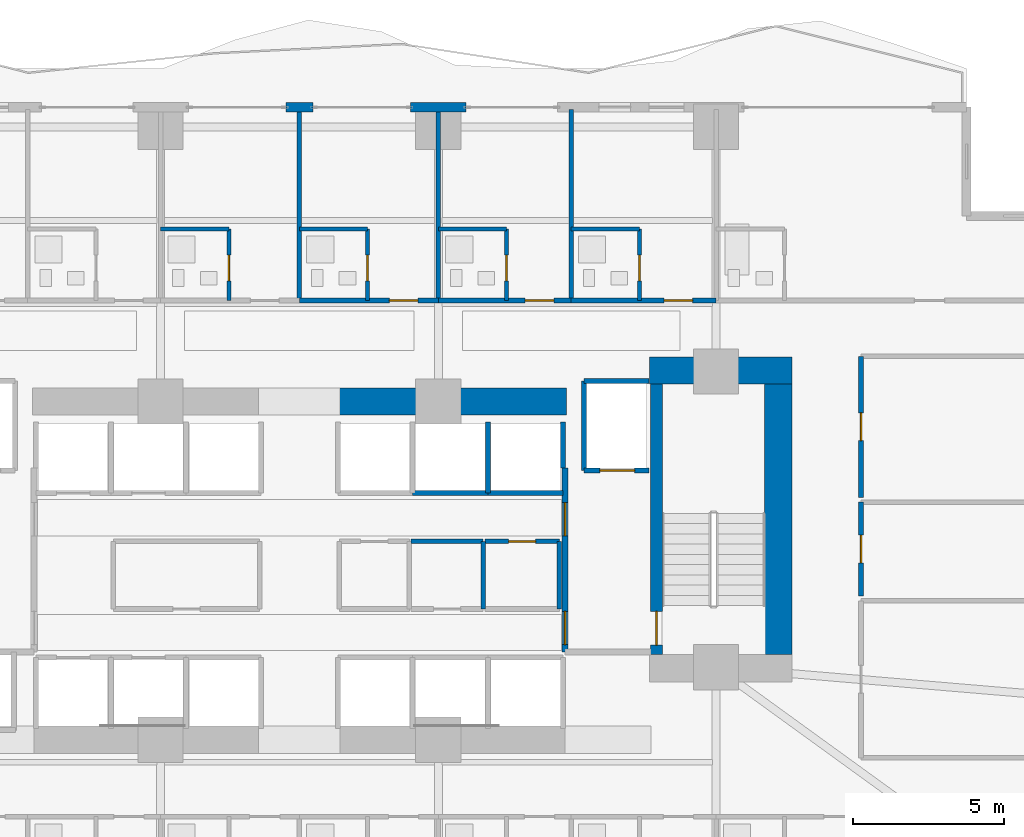
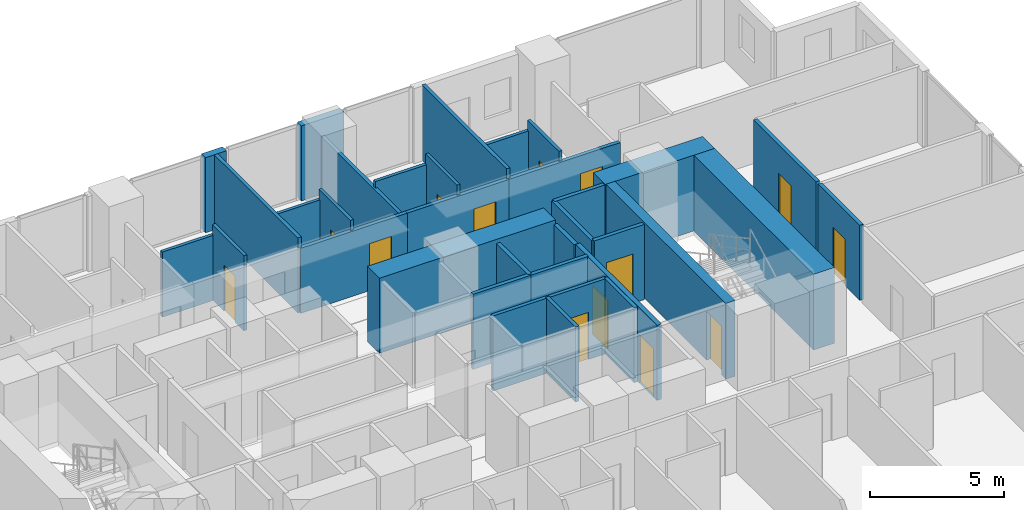
# One storey, part 23 of 29: 34 walls, 14 doors, 14 openings.
"""IFC4 building model written with IfcOpenShell, lengths in metres."""

from ifc_helpers import new_model, si_unit, direction, frame, frame_2d, origin, place, context, subcontext, project, spatial, rectangle, extrude, material, layer, layer_set, type_object, element, fill, save


model = new_model("IFC4")

# Units and contexts
model_context = context("Model", 3, precision=1e-05, world=origin(), true_north=direction((0.0, 1.0)))
body_context = subcontext(model_context, "Body", "Model", "MODEL_VIEW")
ifc_project = project(units=[si_unit("LENGTHUNIT", "METRE"), si_unit("AREAUNIT", "SQUARE_METRE"), si_unit("VOLUMEUNIT", "CUBIC_METRE"), si_unit("PLANEANGLEUNIT", "RADIAN"), si_unit("MASSUNIT", "GRAM", prefix="KILO")], contexts=[model_context])

# Site, building, storey
site_placement = place(None, origin())
site = spatial("IfcSite", under=ifc_project, at=site_placement, CompositionType="ELEMENT")
building_placement = place(site_placement, origin())
building = spatial("IfcBuilding", under=site, at=building_placement, Name="Zuhayl Quay Hotel", CompositionType="ELEMENT")
storey_placement = place(building_placement, frame((0.0, 0.0, 67.75)))
storey = spatial("IfcBuildingStorey", under=building, at=storey_placement, Name="L16", CompositionType="ELEMENT", Elevation=67.75)

# Walls
ifc_material_1 = material(Name="Concrete C70/85", Category="concrete")
ifc_layer_1 = layer(ifc_material_1, 0.89990234375, Name="Concrete C70/85", Category="concrete")
ifc_layer_set_1 = layer_set([ifc_layer_1], Name="Concrete C70/85")
wall_type_1 = type_object("IfcWallType", Name="WL_CORE_900", PredefinedType="SHEAR", material=ifc_layer_set_1)
wall_1_placement = place(storey_placement, frame((11.60009765625, 14.3798828125, 0.0), z_axis=(0.0, 0.0, 1.0), x_axis=(1.0, 0.0, 0.0)))
element("IfcWall", 1, at=wall_1_placement, inside=storey, type_object=wall_type_1, Name="L16 Core Shear Wall CW_NE", PredefinedType="SHEAR", context=body_context, shape_type="SweptSolid", body=[
    extrude(rectangle(XDim=4.7099609375, YDim=0.89990234375, at=frame_2d((2.35498046875, 0.0))), origin(), (0.0, 0.0, 1.0), 3.4599609375),
])
wall_2_placement = place(storey_placement, frame((15.860107421875, 4.969970703125, 0.0), z_axis=(0.0, 0.0, 1.0), x_axis=(0.0, 1.0, 0.0)))
element("IfcWall", 2, at=wall_2_placement, inside=storey, type_object=wall_type_1, Name="L16 Core Shear Wall CW_E", PredefinedType="SHEAR", context=body_context, shape_type="SweptSolid", body=[
    extrude(rectangle(XDim=8.9599609375, YDim=0.89990234375, at=frame_2d((4.47998046875, 0.0))), origin(), (0.0, 0.0, 1.0), 3.4599609375),
])
wall_3_placement = place(storey_placement, frame((1.25, 13.35009765625, 0.0), z_axis=(0.0, 0.0, 1.0), x_axis=(1.0, 0.0, 0.0)))
element("IfcWall", 3, at=wall_3_placement, inside=storey, type_object=wall_type_1, Name="L16 Core Shear Wall CW_NC_E", PredefinedType="SHEAR", context=body_context, shape_type="SweptSolid", body=[
    extrude(rectangle(XDim=7.60009765625, YDim=0.89990234375, at=frame_2d((3.800048828125, 0.0))), origin(), (0.0, 0.0, 1.0), 3.429931640625),
])
ifc_material_2 = material(Name="Precast concrete C45/55", Category="concrete")
ifc_layer_2 = layer(ifc_material_2, 0.300048828125, Name="Precast concrete C45/55", Category="concrete")
ifc_layer_set_2 = layer_set([ifc_layer_2], Name="Precast concrete C45/55")
wall_type_2 = type_object("IfcWallType", Name="WL_EXT_300", PredefinedType="STANDARD", material=ifc_layer_set_2)
wall_4_placement = place(storey_placement, frame((-0.449951171875, 23.10009765625, 0.0), z_axis=(0.0, 0.0, 1.0), x_axis=(1.0, 0.0, 0.0)))
element("IfcWall", 4, at=wall_4_placement, inside=storey, type_object=wall_type_2, Name="L16 Exterior Precast Wall ENV_L16_N_EW4", PredefinedType="STANDARD", context=body_context, shape_type="SweptSolid", body=[
    extrude(rectangle(XDim=0.89990234375, YDim=0.300048828125, at=frame_2d((0.449951171875, 0.0))), origin(), (0.0, 0.0, 1.0), 3.429931640625),
])
wall_5_placement = place(storey_placement, frame((3.679931640625, 23.10009765625, 0.0), z_axis=(0.0, 0.0, 1.0), x_axis=(1.0, 0.0, 0.0)))
element("IfcWall", 5, at=wall_5_placement, inside=storey, type_object=wall_type_2, Name="L16 Exterior Precast Wall ENV_L16_N_EW5", PredefinedType="STANDARD", context=body_context, shape_type="SweptSolid", body=[
    extrude(rectangle(XDim=1.840087890625, YDim=0.300048828125, at=frame_2d((0.919921875, 0.0))), origin(), (0.0, 0.0, 1.0), 3.429931640625),
])

# Wall, opening, door
ifc_material_3 = material(Name="Acoustic Gypsum Partition STC-58")
ifc_layer_3 = layer(ifc_material_3, 0.14990234375, Name="Acoustic Gypsum Partition STC-58")
ifc_layer_set_3 = layer_set([ifc_layer_3], Name="Acoustic Gypsum Partition STC-58")
wall_type_3 = type_object("IfcWallType", Name="WL_PART_150", PredefinedType="PARTITIONING", material=ifc_layer_set_3)
wall_6_placement = place(storey_placement, frame((6.139892578125, 8.719970703125, 0.0), z_axis=(0.0, 0.0, 1.0), x_axis=(1.0, 0.0, 0.0)))
wall_6 = element("IfcWall", 6, at=wall_6_placement, inside=storey, type_object=wall_type_3, Name="L16 Partition IW_L16_CORE_E3_N", PredefinedType="PARTITIONING", context=body_context, shape_type="SweptSolid", body=[
    extrude(rectangle(XDim=2.47021484375, YDim=0.14990234375, at=frame_2d((1.235107421875, 0.0))), origin(), (0.0, 0.0, 1.0), 3.429931640625),
])
opening_1_placement = place(wall_6_placement, frame((0.784912109375, 0.0, 0.0)))
opening_1 = element("IfcOpeningElement", 7, at=opening_1_placement, cuts=wall_6, Name="Opening D06", PredefinedType="OPENING", context=body_context, shape_type="SweptSolid", body=[
    extrude(rectangle(XDim=0.89990234375, YDim=2.14990234375, at=frame_2d((0.449951171875, 1.074951171875))), frame((0.0, 0.0849609375, 0.0), z_axis=(0.0, -1.0, 0.0), x_axis=(1.0, 0.0, 0.0)), (0.0, 0.0, 1.0), 0.169921875),
])
ifc_material_4 = material(Name="Steel ASTM A992 Grade 50", Category="steel")
door_type_1 = type_object("IfcDoorType", Name="DR_INT_900", OperationType="NOTDEFINED", PredefinedType="DOOR", material=ifc_material_4)
door_1_placement = place(opening_1_placement, origin())
door_1 = element("IfcDoor", 8, at=door_1_placement, inside=storey, type_object=door_type_1, Name="L16 Janitor and Cleaners Store Door", OperationType="SINGLE_SWING_LEFT", OverallHeight=2.14990234375, OverallWidth=0.89990234375, PredefinedType="DOOR", context=body_context, shape_type="SweptSolid", body=[
    extrude(rectangle(XDim=0.89990234375, YDim=2.14990234375, at=frame_2d((0.449951171875, 1.074951171875))), frame((0.0, 0.02490234375, 0.0), z_axis=(0.0, -1.0, 0.0), x_axis=(1.0, 0.0, 0.0)), (0.0, 0.0, 1.0), 0.050048828125),
])
fill(opening_1, door_1)

# Walls
wall_7_placement = place(storey_placement, frame((3.699951171875, 8.719970703125, 0.0), z_axis=(0.0, 0.0, 1.0), x_axis=(1.0, 0.0, 0.0)))
element("IfcWall", 9, at=wall_7_placement, inside=storey, type_object=wall_type_3, Name="L16 Partition IW_L16_CORE_E2_N", PredefinedType="PARTITIONING", context=body_context, shape_type="SweptSolid", body=[
    extrude(rectangle(XDim=2.380126953125, YDim=0.14990234375, at=frame_2d((1.18994140625, 0.0))), origin(), (0.0, 0.0, 1.0), 3.429931640625),
])
for number, where, z_axis, x_axis, name in (
    (10, (6.080078125, 6.47998046875, 0.0), (0.0, 0.0, 1.0), (0.0, 1.0, 0.0), "L16 Partition IW_L16_CORE_E2_E"),
    (11, (8.610107421875, 6.47998046875, 0.0), (0.0, 0.0, 1.0), (0.0, 1.0, 0.0), "L16 Partition IW_L16_CORE_E3_E"),
):
    element("IfcWall", number, at=place(storey_placement, frame(where, z_axis=z_axis, x_axis=x_axis)), inside=storey, type_object=wall_type_3, Name=name, PredefinedType="PARTITIONING", context=body_context, shape_type="SweptSolid", body=[
        extrude(rectangle(XDim=2.239990234375, YDim=0.14990234375, at=frame_2d((1.1201171875, 0.0))), origin(), (0.0, 0.0, 1.0), 3.429931640625),
    ])
wall_8_placement = place(storey_placement, frame((0.0, 16.699951171875, 0.0), z_axis=(0.0, 0.0, 1.0), x_axis=(0.0, 1.0, 0.0)))
element("IfcWall", 12, at=wall_8_placement, inside=storey, type_object=wall_type_3, Name="L16 Partition IW_L16_NU04_E", PredefinedType="PARTITIONING", context=body_context, shape_type="SweptSolid", body=[
    extrude(rectangle(XDim=6.320068359375, YDim=0.14990234375, at=frame_2d((3.16015625, 0.0))), origin(), (0.0, 0.0, 1.0), 3.429931640625),
])
wall_9_placement = place(storey_placement, frame((4.60009765625, 16.699951171875, 0.0), z_axis=(0.0, 0.0, 1.0), x_axis=(0.0, 1.0, 0.0)))
element("IfcWall", 13, at=wall_9_placement, inside=storey, type_object=wall_type_3, Name="L16 Partition IW_L16_NU05_E", PredefinedType="PARTITIONING", context=body_context, shape_type="SweptSolid", body=[
    extrude(rectangle(XDim=6.320068359375, YDim=0.14990234375, at=frame_2d((3.16015625, 0.0))), origin(), (0.0, 0.0, 1.0), 2.66796875),
])
wall_10_placement = place(storey_placement, frame((9.0, 16.699951171875, 0.0), z_axis=(0.0, 0.0, 1.0), x_axis=(0.0, 1.0, 0.0)))
element("IfcWall", 14, at=wall_10_placement, inside=storey, type_object=wall_type_3, Name="L16 Partition IW_L16_NU06_E", PredefinedType="PARTITIONING", context=body_context, shape_type="SweptSolid", body=[
    extrude(rectangle(XDim=6.320068359375, YDim=0.14990234375, at=frame_2d((3.16015625, 0.0))), origin(), (0.0, 0.0, 1.0), 3.429931640625),
])

# Wall, opening, door
ifc_layer_4 = layer(ifc_material_3, 0.159912109375, Name="Acoustic Gypsum Partition STC-58")
ifc_layer_set_4 = layer_set([ifc_layer_4], Name="Acoustic Gypsum Partition STC-58")
wall_type_4 = type_object("IfcWallType", Name="WL_PART_CORR_160", PredefinedType="PARTITIONING", material=ifc_layer_set_4)
wall_11_placement = place(storey_placement, frame((0.0, 16.699951171875, 0.0), z_axis=(0.0, 0.0, 1.0), x_axis=(1.0, 0.0, 0.0)))
wall_11 = element("IfcWall", 15, at=wall_11_placement, inside=storey, type_object=wall_type_4, Name="L16 Partition IW_L16_NU05_COR", PredefinedType="PARTITIONING", context=body_context, shape_type="SweptSolid", body=[
    extrude(rectangle(XDim=4.60009765625, YDim=0.159912109375, at=frame_2d((2.300048828125, 0.0))), origin(), (0.0, 0.0, 1.0), 2.972900390625),
])
opening_2_placement = place(wall_11_placement, frame((2.97509765625, 0.0, 0.0)))
opening_2 = element("IfcOpeningElement", 16, at=opening_2_placement, cuts=wall_11, Name="Opening D03", PredefinedType="OPENING", context=body_context, shape_type="SweptSolid", body=[
    extrude(rectangle(XDim=0.949951171875, YDim=2.14990234375, at=frame_2d((0.47509765625, 1.074951171875))), frame((0.0, 0.08984375, 0.0), z_axis=(0.0, -1.0, 0.0), x_axis=(1.0, 0.0, 0.0)), (0.0, 0.0, 1.0), 0.179931640625),
])
ifc_material_5 = material(Name="Solid Walnut Acoustic Fire Door")
door_type_2 = type_object("IfcDoorType", Name="DR_SUITE_950", OperationType="NOTDEFINED", PredefinedType="DOOR", material=ifc_material_5)
door_2_placement = place(opening_2_placement, origin())
door_2 = element("IfcDoor", 17, at=door_2_placement, inside=storey, type_object=door_type_2, Name="L16 Deluxe Gulf Guest Room L16-05 Entrance Door", OperationType="SINGLE_SWING_LEFT", OverallHeight=2.14990234375, OverallWidth=0.949951171875, PredefinedType="DOOR", context=body_context, shape_type="SweptSolid", body=[
    extrude(rectangle(XDim=0.949951171875, YDim=2.14990234375, at=frame_2d((0.47509765625, 1.074951171875))), frame((0.0, 0.02490234375, 0.0), z_axis=(0.0, -1.0, 0.0), x_axis=(1.0, 0.0, 0.0)), (0.0, 0.0, 1.0), 0.050048828125),
])
fill(opening_2, door_2)

wall_12_placement = place(storey_placement, frame((4.60009765625, 16.699951171875, 0.0), z_axis=(0.0, 0.0, 1.0), x_axis=(1.0, 0.0, 0.0)))
wall_12 = element("IfcWall", 18, at=wall_12_placement, inside=storey, type_object=wall_type_4, Name="L16 Partition IW_L16_NU06_COR", PredefinedType="PARTITIONING", context=body_context, shape_type="SweptSolid", body=[
    extrude(rectangle(XDim=4.39990234375, YDim=0.159912109375, at=frame_2d((2.199951171875, 0.0))), origin(), (0.0, 0.0, 1.0), 2.972900390625),
])
opening_3_placement = place(wall_12_placement, frame((2.875, 0.0, 0.0)))
opening_3 = element("IfcOpeningElement", 19, at=opening_3_placement, cuts=wall_12, Name="Opening D03", PredefinedType="OPENING", context=body_context, shape_type="SweptSolid", body=[
    extrude(rectangle(XDim=0.949951171875, YDim=2.14990234375, at=frame_2d((0.47509765625, 1.074951171875))), frame((0.0, 0.08984375, 0.0), z_axis=(0.0, -1.0, 0.0), x_axis=(1.0, 0.0, 0.0)), (0.0, 0.0, 1.0), 0.179931640625),
])
door_3_placement = place(opening_3_placement, origin())
door_3 = element("IfcDoor", 20, at=door_3_placement, inside=storey, type_object=door_type_2, Name="L16 Deluxe Gulf Guest Room L16-06 Entrance Door", OperationType="SINGLE_SWING_LEFT", OverallHeight=2.14990234375, OverallWidth=0.949951171875, PredefinedType="DOOR", context=body_context, shape_type="SweptSolid", body=[
    extrude(rectangle(XDim=0.949951171875, YDim=2.14990234375, at=frame_2d((0.47509765625, 1.074951171875))), frame((0.0, 0.02490234375, 0.0), z_axis=(0.0, -1.0, 0.0), x_axis=(1.0, 0.0, 0.0)), (0.0, 0.0, 1.0), 0.050048828125),
])
fill(opening_3, door_3)

wall_13_placement = place(storey_placement, frame((9.0, 16.699951171875, 0.0), z_axis=(0.0, 0.0, 1.0), x_axis=(1.0, 0.0, 0.0)))
wall_13 = element("IfcWall", 21, at=wall_13_placement, inside=storey, type_object=wall_type_4, Name="L16 Partition IW_L16_NU07_COR", PredefinedType="PARTITIONING", context=body_context, shape_type="SweptSolid", body=[
    extrude(rectangle(XDim=4.800048828125, YDim=0.159912109375, at=frame_2d((2.39990234375, 0.0))), origin(), (0.0, 0.0, 1.0), 2.972900390625),
])
opening_4_placement = place(wall_13_placement, frame((3.074951171875, 0.0, 0.0)))
opening_4 = element("IfcOpeningElement", 22, at=opening_4_placement, cuts=wall_13, Name="Opening D03", PredefinedType="OPENING", context=body_context, shape_type="SweptSolid", body=[
    extrude(rectangle(XDim=0.949951171875, YDim=2.14990234375, at=frame_2d((0.47509765625, 1.074951171875))), frame((0.0, 0.08984375, 0.0), z_axis=(0.0, -1.0, 0.0), x_axis=(1.0, 0.0, 0.0)), (0.0, 0.0, 1.0), 0.179931640625),
])
door_4_placement = place(opening_4_placement, origin())
door_4 = element("IfcDoor", 23, at=door_4_placement, inside=storey, type_object=door_type_2, Name="L16 Deluxe Gulf Guest Room L16-07 Entrance Door", OperationType="SINGLE_SWING_LEFT", OverallHeight=2.14990234375, OverallWidth=0.949951171875, PredefinedType="DOOR", context=body_context, shape_type="SweptSolid", body=[
    extrude(rectangle(XDim=0.949951171875, YDim=2.14990234375, at=frame_2d((0.47509765625, 1.074951171875))), frame((0.0, 0.02490234375, 0.0), z_axis=(0.0, -1.0, 0.0), x_axis=(1.0, 0.0, 0.0)), (0.0, 0.0, 1.0), 0.050048828125),
])
fill(opening_4, door_4)

wall_14_placement = place(storey_placement, frame((18.60009765625, 6.909912109375, 0.0), z_axis=(0.0, 0.0, 1.0), x_axis=(0.0, 1.0, 0.0)))
wall_14 = element("IfcWall", 24, at=wall_14_placement, inside=storey, type_object=wall_type_4, Name="L16 Partition IW_L16_EFLK_2_W", PredefinedType="PARTITIONING", context=body_context, shape_type="SweptSolid", body=[
    extrude(rectangle(XDim=3.110107421875, YDim=0.159912109375, at=frame_2d((1.55517578125, 0.0))), origin(), (0.0, 0.0, 1.0), 3.429931640625),
])
opening_5_placement = place(wall_14_placement, frame((1.094970703125, 0.0, 0.0)))
opening_5 = element("IfcOpeningElement", 25, at=opening_5_placement, cuts=wall_14, Name="Opening D05", PredefinedType="OPENING", context=body_context, shape_type="SweptSolid", body=[
    extrude(rectangle(XDim=0.919921875, YDim=2.1201171875, at=frame_2d((0.4599609375, 1.06005859375))), frame((0.0, 0.08984375, 0.0), z_axis=(0.0, -1.0, 0.0), x_axis=(1.0, 0.0, 0.0)), (0.0, 0.0, 1.0), 0.179931640625),
])
door_type_3 = type_object("IfcDoorType", Name="DR_INT_950", OperationType="NOTDEFINED", PredefinedType="DOOR", material=ifc_material_5)
door_5_placement = place(opening_5_placement, origin())
door_5 = element("IfcDoor", 26, at=door_5_placement, inside=storey, type_object=door_type_3, Name="L16 Floor Beverage Pantry Door", OperationType="SINGLE_SWING_LEFT", OverallHeight=2.1201171875, OverallWidth=0.919921875, PredefinedType="DOOR", context=body_context, shape_type="SweptSolid", body=[
    extrude(rectangle(XDim=0.919921875, YDim=2.1201171875, at=frame_2d((0.4599609375, 1.06005859375))), frame((0.0, 0.02490234375, 0.0), z_axis=(0.0, -1.0, 0.0), x_axis=(1.0, 0.0, 0.0)), (0.0, 0.0, 1.0), 0.050048828125),
])
fill(opening_5, door_5)

wall_15_placement = place(storey_placement, frame((18.60009765625, 10.179931640625, 0.0), z_axis=(0.0, 0.0, 1.0), x_axis=(0.0, 1.0, 0.0)))
wall_15 = element("IfcWall", 27, at=wall_15_placement, inside=storey, type_object=wall_type_4, Name="L16 Partition IW_L16_EFLK_3_W", PredefinedType="PARTITIONING", context=body_context, shape_type="SweptSolid", body=[
    extrude(rectangle(XDim=4.670166015625, YDim=0.159912109375, at=frame_2d((2.3349609375, 0.0))), origin(), (0.0, 0.0, 1.0), 3.429931640625),
])
opening_6_placement = place(wall_15_placement, frame((1.875, 0.0, 0.0)))
opening_6 = element("IfcOpeningElement", 28, at=opening_6_placement, cuts=wall_15, Name="Opening D05", PredefinedType="OPENING", context=body_context, shape_type="SweptSolid", body=[
    extrude(rectangle(XDim=0.919921875, YDim=2.1201171875, at=frame_2d((0.4599609375, 1.06005859375))), frame((0.0, 0.08984375, 0.0), z_axis=(0.0, -1.0, 0.0), x_axis=(1.0, 0.0, 0.0)), (0.0, 0.0, 1.0), 0.179931640625),
])
door_6_placement = place(opening_6_placement, origin())
door_6 = element("IfcDoor", 29, at=door_6_placement, inside=storey, type_object=door_type_3, Name="L16 East Prow Office L16 Door", OperationType="SINGLE_SWING_RIGHT", OverallHeight=2.1201171875, OverallWidth=0.919921875, PredefinedType="DOOR", context=body_context, shape_type="SweptSolid", body=[
    extrude(rectangle(XDim=0.919921875, YDim=2.1201171875, at=frame_2d((0.4599609375, 1.06005859375))), frame((0.0, 0.02490234375, 0.0), z_axis=(0.0, -1.0, 0.0), x_axis=(1.0, 0.0, 0.0)), (0.0, 0.0, 1.0), 0.050048828125),
])
fill(opening_6, door_6)

ifc_material_6 = material(Name="Moisture-Resistant Sanitarychase Gypsum")
ifc_layer_5 = layer(ifc_material_6, 0.135009765625, Name="Moisture-Resistant Sanitarychase Gypsum")
ifc_layer_set_5 = layer_set([ifc_layer_5], Name="Moisture-Resistant Sanitarychase Gypsum")
wall_type_5 = type_object("IfcWallType", Name="WL_PART_PLUMB_150", PredefinedType="PLUMBINGWALL", material=ifc_layer_set_5)
wall_16_placement = place(storey_placement, frame((-2.340087890625, 16.699951171875, 0.0), z_axis=(0.0, 0.0, 1.0), x_axis=(0.0, 1.0, 0.0)))
wall_16 = element("IfcWall", 30, at=wall_16_placement, inside=storey, type_object=wall_type_5, Name="L16 Partition IW_L16_NU04_BE", PredefinedType="PLUMBINGWALL", context=body_context, shape_type="SweptSolid", body=[
    extrude(rectangle(XDim=2.360107421875, YDim=0.135009765625, at=frame_2d((1.18017578125, 0.0))), origin(), (0.0, 0.0, 1.0), 3.429931640625),
])
opening_7_placement = place(wall_16_placement, frame((0.64990234375, 0.0, 0.0)))
opening_7 = element("IfcOpeningElement", 31, at=opening_7_placement, cuts=wall_16, Name="Opening D04", PredefinedType="OPENING", context=body_context, shape_type="SweptSolid", body=[
    extrude(rectangle(XDim=0.85009765625, YDim=2.10009765625, at=frame_2d((0.425048828125, 1.050048828125))), frame((0.0, 0.077392578125, 0.0), z_axis=(0.0, -1.0, 0.0), x_axis=(1.0, 0.0, 0.0)), (0.0, 0.0, 1.0), 0.155029296875),
])
ifc_material_7 = material(Name="Moisture-Resistant Walnut Veneer")
door_type_4 = type_object("IfcDoorType", Name="DR_BATH_850", OperationType="NOTDEFINED", PredefinedType="DOOR", material=ifc_material_7)
door_7_placement = place(opening_7_placement, origin())
door_7 = element("IfcDoor", 32, at=door_7_placement, inside=storey, type_object=door_type_4, Name="L16 Deluxe Gulf Guest Room L16-04 En-Suite Door", OperationType="SINGLE_SWING_RIGHT", OverallHeight=2.10009765625, OverallWidth=0.85009765625, PredefinedType="DOOR", context=body_context, shape_type="SweptSolid", body=[
    extrude(rectangle(XDim=0.85009765625, YDim=2.10009765625, at=frame_2d((0.425048828125, 1.050048828125))), frame((0.0, 0.02490234375, 0.0), z_axis=(0.0, -1.0, 0.0), x_axis=(1.0, 0.0, 0.0)), (0.0, 0.0, 1.0), 0.050048828125),
])
fill(opening_7, door_7)

wall_17_placement = place(storey_placement, frame((2.260009765625, 16.699951171875, 0.0), z_axis=(0.0, 0.0, 1.0), x_axis=(0.0, 1.0, 0.0)))
wall_17 = element("IfcWall", 33, at=wall_17_placement, inside=storey, type_object=wall_type_5, Name="L16 Partition IW_L16_NU05_BE", PredefinedType="PLUMBINGWALL", context=body_context, shape_type="SweptSolid", body=[
    extrude(rectangle(XDim=2.360107421875, YDim=0.135009765625, at=frame_2d((1.18017578125, 0.0))), origin(), (0.0, 0.0, 1.0), 3.429931640625),
])
opening_8_placement = place(wall_17_placement, frame((0.64990234375, 0.0, 0.0)))
opening_8 = element("IfcOpeningElement", 34, at=opening_8_placement, cuts=wall_17, Name="Opening D04", PredefinedType="OPENING", context=body_context, shape_type="SweptSolid", body=[
    extrude(rectangle(XDim=0.85009765625, YDim=2.10009765625, at=frame_2d((0.425048828125, 1.050048828125))), frame((0.0, 0.077392578125, 0.0), z_axis=(0.0, -1.0, 0.0), x_axis=(1.0, 0.0, 0.0)), (0.0, 0.0, 1.0), 0.155029296875),
])
door_8_placement = place(opening_8_placement, origin())
door_8 = element("IfcDoor", 35, at=door_8_placement, inside=storey, type_object=door_type_4, Name="L16 Deluxe Gulf Guest Room L16-05 En-Suite Door", OperationType="SINGLE_SWING_RIGHT", OverallHeight=2.10009765625, OverallWidth=0.85009765625, PredefinedType="DOOR", context=body_context, shape_type="SweptSolid", body=[
    extrude(rectangle(XDim=0.85009765625, YDim=2.10009765625, at=frame_2d((0.425048828125, 1.050048828125))), frame((0.0, 0.02490234375, 0.0), z_axis=(0.0, -1.0, 0.0), x_axis=(1.0, 0.0, 0.0)), (0.0, 0.0, 1.0), 0.050048828125),
])
fill(opening_8, door_8)

wall_18_placement = place(storey_placement, frame((6.860107421875, 16.699951171875, 0.0), z_axis=(0.0, 0.0, 1.0), x_axis=(0.0, 1.0, 0.0)))
wall_18 = element("IfcWall", 36, at=wall_18_placement, inside=storey, type_object=wall_type_5, Name="L16 Partition IW_L16_NU06_BE", PredefinedType="PLUMBINGWALL", context=body_context, shape_type="SweptSolid", body=[
    extrude(rectangle(XDim=2.360107421875, YDim=0.135009765625, at=frame_2d((1.18017578125, 0.0))), origin(), (0.0, 0.0, 1.0), 3.429931640625),
])
opening_9_placement = place(wall_18_placement, frame((0.64990234375, 0.0, 0.0)))
opening_9 = element("IfcOpeningElement", 37, at=opening_9_placement, cuts=wall_18, Name="Opening D04", PredefinedType="OPENING", context=body_context, shape_type="SweptSolid", body=[
    extrude(rectangle(XDim=0.85009765625, YDim=2.10009765625, at=frame_2d((0.425048828125, 1.050048828125))), frame((0.0, 0.077392578125, 0.0), z_axis=(0.0, -1.0, 0.0), x_axis=(1.0, 0.0, 0.0)), (0.0, 0.0, 1.0), 0.155029296875),
])
door_9_placement = place(opening_9_placement, origin())
door_9 = element("IfcDoor", 38, at=door_9_placement, inside=storey, type_object=door_type_4, Name="L16 Deluxe Gulf Guest Room L16-06 En-Suite Door", OperationType="SINGLE_SWING_RIGHT", OverallHeight=2.10009765625, OverallWidth=0.85009765625, PredefinedType="DOOR", context=body_context, shape_type="SweptSolid", body=[
    extrude(rectangle(XDim=0.85009765625, YDim=2.10009765625, at=frame_2d((0.425048828125, 1.050048828125))), frame((0.0, 0.02490234375, 0.0), z_axis=(0.0, -1.0, 0.0), x_axis=(1.0, 0.0, 0.0)), (0.0, 0.0, 1.0), 0.050048828125),
])
fill(opening_9, door_9)

wall_19_placement = place(storey_placement, frame((11.260009765625, 16.699951171875, 0.0), z_axis=(0.0, 0.0, 1.0), x_axis=(0.0, 1.0, 0.0)))
wall_19 = element("IfcWall", 39, at=wall_19_placement, inside=storey, type_object=wall_type_5, Name="L16 Partition IW_L16_NU07_BE", PredefinedType="PLUMBINGWALL", context=body_context, shape_type="SweptSolid", body=[
    extrude(rectangle(XDim=2.360107421875, YDim=0.135009765625, at=frame_2d((1.18017578125, 0.0))), origin(), (0.0, 0.0, 1.0), 3.429931640625),
])
opening_10_placement = place(wall_19_placement, frame((0.64990234375, 0.0, 0.0)))
opening_10 = element("IfcOpeningElement", 40, at=opening_10_placement, cuts=wall_19, Name="Opening D04", PredefinedType="OPENING", context=body_context, shape_type="SweptSolid", body=[
    extrude(rectangle(XDim=0.85009765625, YDim=2.10009765625, at=frame_2d((0.425048828125, 1.050048828125))), frame((0.0, 0.077392578125, 0.0), z_axis=(0.0, -1.0, 0.0), x_axis=(1.0, 0.0, 0.0)), (0.0, 0.0, 1.0), 0.155029296875),
])
door_10_placement = place(opening_10_placement, origin())
door_10 = element("IfcDoor", 41, at=door_10_placement, inside=storey, type_object=door_type_4, Name="L16 Deluxe Gulf Guest Room L16-07 En-Suite Door", OperationType="SINGLE_SWING_RIGHT", OverallHeight=2.10009765625, OverallWidth=0.85009765625, PredefinedType="DOOR", context=body_context, shape_type="SweptSolid", body=[
    extrude(rectangle(XDim=0.85009765625, YDim=2.10009765625, at=frame_2d((0.425048828125, 1.050048828125))), frame((0.0, 0.02490234375, 0.0), z_axis=(0.0, -1.0, 0.0), x_axis=(1.0, 0.0, 0.0)), (0.0, 0.0, 1.0), 0.050048828125),
])
fill(opening_10, door_10)

# Walls
for number, where, z_axis, x_axis, name in (
    (42, (-4.60009765625, 19.06005859375, 0.0), (0.0, 0.0, 1.0), (1.0, 0.0, 0.0), "L16 Partition IW_L16_NU04_BN"),
    (43, (0.0, 19.06005859375, 0.0), (0.0, 0.0, 1.0), (1.0, 0.0, 0.0), "L16 Partition IW_L16_NU05_BN"),
    (44, (4.60009765625, 19.06005859375, 0.0), (0.0, 0.0, 1.0), (1.0, 0.0, 0.0), "L16 Partition IW_L16_NU06_BN"),
    (45, (9.0, 19.06005859375, 0.0), (0.0, 0.0, 1.0), (1.0, 0.0, 0.0), "L16 Partition IW_L16_NU07_BN"),
):
    element("IfcWall", number, at=place(storey_placement, frame(where, z_axis=z_axis, x_axis=x_axis)), inside=storey, type_object=wall_type_5, Name=name, PredefinedType="PLUMBINGWALL", context=body_context, shape_type="SweptSolid", body=[
        extrude(rectangle(XDim=2.260009765625, YDim=0.135009765625, at=frame_2d((1.1298828125, 0.0))), origin(), (0.0, 0.0, 1.0), 2.972900390625),
    ])

# Wall, opening, door
ifc_material_8 = material(Name="Gypsum Fireboard Assembly EI-90")
ifc_layer_6 = layer(ifc_material_8, 0.1650390625, Name="Gypsum Fireboard Assembly EI-90")
ifc_layer_set_6 = layer_set([ifc_layer_6], Name="Gypsum Fireboard Assembly EI-90")
wall_type_6 = type_object("IfcWallType", Name="WL_PART_SHAFT_160", PredefinedType="PARTITIONING", material=ifc_layer_set_6)
wall_20_placement = place(storey_placement, frame((9.419921875, 11.070068359375, 0.0), z_axis=(0.0, 0.0, 1.0), x_axis=(1.0, 0.0, 0.0)))
wall_20 = element("IfcWall", 46, at=wall_20_placement, inside=storey, type_object=wall_type_6, Name="L16 Partition IW_L16_SH_FL2_F", PredefinedType="PARTITIONING", context=body_context, shape_type="SweptSolid", body=[
    extrude(rectangle(XDim=2.16015625, YDim=0.1650390625, at=frame_2d((1.080078125, 0.0))), origin(), (0.0, 0.0, 1.0), 3.429931640625),
])
opening_11_placement = place(wall_20_placement, frame((0.530029296875, 0.0, 0.0)))
opening_11 = element("IfcOpeningElement", 47, at=opening_11_placement, cuts=wall_20, Name="Opening LD2", PredefinedType="OPENING", context=body_context, shape_type="SweptSolid", body=[
    extrude(rectangle(XDim=1.14990234375, YDim=2.25, at=frame_2d((0.574951171875, 1.125))), frame((0.0, 0.092529296875, 0.0), z_axis=(0.0, -1.0, 0.0), x_axis=(1.0, 0.0, 0.0)), (0.0, 0.0, 1.0), 0.18505859375),
])
ifc_material_9 = material(Name="Brushed Stainless Steel", Category="steel")
door_type_5 = type_object("IfcDoorType", Name="DR_LIFT_FF_1100", OperationType="SLIDING_TO_LEFT", PredefinedType="DOOR", material=ifc_material_9)
door_11_placement = place(opening_11_placement, origin())
door_11 = element("IfcDoor", 48, at=door_11_placement, inside=storey, type_object=door_type_5, Name="L16 Lift FL2 Sliding Landing Door", OperationType="SLIDING_TO_LEFT", OverallHeight=2.25, OverallWidth=1.14990234375, PredefinedType="DOOR", context=body_context, shape_type="SweptSolid", body=[
    extrude(rectangle(XDim=1.14990234375, YDim=2.25, at=frame_2d((0.574951171875, 1.125))), frame((0.0, 0.02490234375, 0.0), z_axis=(0.0, -1.0, 0.0), x_axis=(1.0, 0.0, 0.0)), (0.0, 0.0, 1.0), 0.050048828125),
])
fill(opening_11, door_11)

# Walls
wall_21_placement = place(storey_placement, frame((9.419921875, 11.070068359375, 0.0), z_axis=(0.0, 0.0, 1.0), x_axis=(0.0, 1.0, 0.0)))
element("IfcWall", 49, at=wall_21_placement, inside=storey, type_object=wall_type_6, Name="L16 Partition IW_L16_SH_FL2_W", PredefinedType="PARTITIONING", context=body_context, shape_type="SweptSolid", body=[
    extrude(rectangle(XDim=2.9599609375, YDim=0.1650390625, at=frame_2d((1.47998046875, 0.0))), origin(), (0.0, 0.0, 1.0), 3.429931640625),
])
wall_22_placement = place(storey_placement, frame((9.419921875, 14.030029296875, 0.0), z_axis=(0.0, 0.0, 1.0), x_axis=(1.0, 0.0, 0.0)))
element("IfcWall", 50, at=wall_22_placement, inside=storey, type_object=wall_type_6, Name="L16 Partition IW_L16_SH_FL2_B", PredefinedType="PARTITIONING", context=body_context, shape_type="SweptSolid", body=[
    extrude(rectangle(XDim=2.16015625, YDim=0.1650390625, at=frame_2d((1.080078125, 0.0))), origin(), (0.0, 0.0, 1.0), 3.429931640625),
])
wall_23_placement = place(storey_placement, frame((3.75, 10.320068359375, 0.0), z_axis=(0.0, 0.0, 1.0), x_axis=(1.0, 0.0, 0.0)))
element("IfcWall", 51, at=wall_23_placement, inside=storey, type_object=wall_type_6, Name="L16 Partition IW_L16_SH_HP3_F", PredefinedType="PARTITIONING", context=body_context, shape_type="SweptSolid", body=[
    extrude(rectangle(XDim=2.5, YDim=0.1650390625, at=frame_2d((1.25, 0.0))), origin(), (0.0, 0.0, 1.0), 3.429931640625),
])
wall_24_placement = place(storey_placement, frame((6.25, 10.320068359375, 0.0), z_axis=(0.0, 0.0, 1.0), x_axis=(0.0, 1.0, 0.0)))
element("IfcWall", 52, at=wall_24_placement, inside=storey, type_object=wall_type_6, Name="L16 Partition IW_L16_SH_HP3_E", PredefinedType="PARTITIONING", context=body_context, shape_type="SweptSolid", body=[
    extrude(rectangle(XDim=2.35986328125, YDim=0.1650390625, at=frame_2d((1.179931640625, 0.0))), origin(), (0.0, 0.0, 1.0), 3.429931640625),
])
wall_25_placement = place(storey_placement, frame((6.25, 10.320068359375, 0.0), z_axis=(0.0, 0.0, 1.0), x_axis=(1.0, 0.0, 0.0)))
element("IfcWall", 53, at=wall_25_placement, inside=storey, type_object=wall_type_6, Name="L16 Partition IW_L16_SH_HP4_F", PredefinedType="PARTITIONING", context=body_context, shape_type="SweptSolid", body=[
    extrude(rectangle(XDim=2.47998046875, YDim=0.1650390625, at=frame_2d((1.239990234375, 0.0))), origin(), (0.0, 0.0, 1.0), 3.429931640625),
])
wall_26_placement = place(storey_placement, frame((8.72998046875, 11.14990234375, 0.0), z_axis=(0.0, 0.0, 1.0), x_axis=(0.0, 1.0, 0.0)))
element("IfcWall", 54, at=wall_26_placement, inside=storey, type_object=wall_type_6, Name="L16 Partition IW_L16_SH_HP4_E", PredefinedType="PARTITIONING", context=body_context, shape_type="SweptSolid", body=[
    extrude(rectangle(XDim=1.530029296875, YDim=0.1650390625, at=frame_2d((0.76513671875, 0.0))), origin(), (0.0, 0.0, 1.0), 3.429931640625),
])

# Wall, openings, doors
ifc_material_10 = material(Name="Gypsum Fireboard Assembly EI-120")
ifc_layer_7 = layer(ifc_material_10, 0.199951171875, Name="Gypsum Fireboard Assembly EI-120")
ifc_layer_set_7 = layer_set([ifc_layer_7], Name="Gypsum Fireboard Assembly EI-120")
wall_type_7 = type_object("IfcWallType", Name="WL_PART_SHAFT_200", PredefinedType="PARTITIONING", material=ifc_layer_set_7)
wall_27_placement = place(storey_placement, frame((8.800048828125, 11.14990234375, 0.0), z_axis=(0.0, 0.0, 1.0), x_axis=(0.0, -1.0, 0.0)))
wall_27 = element("IfcWall", 55, at=wall_27_placement, inside=storey, type_object=wall_type_7, Name="L16 Partition IW_L16_FSAE_E_W", PredefinedType="PARTITIONING", context=body_context, shape_type="SweptSolid", body=[
    extrude(rectangle(XDim=6.099853515625, YDim=0.199951171875, at=frame_2d((3.0498046875, 0.0))), origin(), (0.0, 0.0, 1.0), 3.429931640625),
])
opening_12_placement = place(wall_27_placement, frame((1.14990234375, 0.0, 0.0)))
opening_12 = element("IfcOpeningElement", 56, at=opening_12_placement, cuts=wall_27, Name="Opening D02", PredefinedType="OPENING", context=body_context, shape_type="SweptSolid", body=[
    extrude(rectangle(XDim=1.10009765625, YDim=2.199951171875, at=frame_2d((0.550048828125, 1.10009765625))), frame((0.0, 0.10986328125, 0.0), z_axis=(0.0, -1.0, 0.0), x_axis=(1.0, 0.0, 0.0)), (0.0, 0.0, 1.0), 0.219970703125),
])
opening_13_placement = place(wall_27_placement, frame((4.75, 0.0, 0.0)))
opening_13 = element("IfcOpeningElement", 57, at=opening_13_placement, cuts=wall_27, Name="Opening D02", PredefinedType="OPENING", context=body_context, shape_type="SweptSolid", body=[
    extrude(rectangle(XDim=1.10009765625, YDim=2.199951171875, at=frame_2d((0.550048828125, 1.10009765625))), frame((0.0, 0.10986328125, 0.0), z_axis=(0.0, -1.0, 0.0), x_axis=(1.0, 0.0, 0.0)), (0.0, 0.0, 1.0), 0.219970703125),
])
door_type_6 = type_object("IfcDoorType", Name="DR_FIRE_90_1100", OperationType="NOTDEFINED", PredefinedType="DOOR", material=ifc_material_4)
door_12_placement = place(opening_12_placement, origin())
door_12 = element("IfcDoor", 58, at=door_12_placement, inside=storey, type_object=door_type_6, Name="L16 FSAE Lobby East North Entry Door", OperationType="SINGLE_SWING_RIGHT", OverallHeight=2.199951171875, OverallWidth=1.10009765625, PredefinedType="DOOR", context=body_context, shape_type="SweptSolid", body=[
    extrude(rectangle(XDim=1.10009765625, YDim=2.199951171875, at=frame_2d((0.550048828125, 1.10009765625))), frame((0.0, 0.02490234375, 0.0), z_axis=(0.0, -1.0, 0.0), x_axis=(1.0, 0.0, 0.0)), (0.0, 0.0, 1.0), 0.050048828125),
])
fill(opening_12, door_12)
door_13_placement = place(opening_13_placement, origin())
door_13 = element("IfcDoor", 59, at=door_13_placement, inside=storey, type_object=door_type_6, Name="L16 FSAE Lobby East South Entry Door", OperationType="SINGLE_SWING_LEFT", OverallHeight=2.199951171875, OverallWidth=1.10009765625, PredefinedType="DOOR", context=body_context, shape_type="SweptSolid", body=[
    extrude(rectangle(XDim=1.10009765625, YDim=2.199951171875, at=frame_2d((0.550048828125, 1.10009765625))), frame((0.0, 0.02490234375, 0.0), z_axis=(0.0, -1.0, 0.0), x_axis=(1.0, 0.0, 0.0)), (0.0, 0.0, 1.0), 0.050048828125),
])
fill(opening_13, door_13)

# Wall, opening, door
ifc_material_11 = material(Name="Concrete C60/75", Category="concrete")
ifc_layer_8 = layer(ifc_material_11, 0.39990234375, Name="Concrete C60/75", Category="concrete")
ifc_layer_set_8 = layer_set([ifc_layer_8], Name="Concrete C60/75")
wall_type_8 = type_object("IfcWallType", Name="WL_STAIR_400", PredefinedType="SHEAR", material=ifc_layer_set_8)
wall_28_placement = place(storey_placement, frame((11.820068359375, 13.929931640625, 0.0), z_axis=(0.0, 0.0, 1.0), x_axis=(0.0, -1.0, 0.0)))
wall_28 = element("IfcWall", 60, at=wall_28_placement, inside=storey, type_object=wall_type_8, Name="L16 Core Shear Wall SW_ST2", PredefinedType="SHEAR", context=body_context, shape_type="SweptSolid", body=[
    extrude(rectangle(XDim=8.9599609375, YDim=0.39990234375, at=frame_2d((4.47998046875, 0.0))), origin(), (0.0, 0.0, 1.0), 3.4599609375),
])
opening_14_placement = place(wall_28_placement, frame((7.530029296875, 0.0, 0.0)))
opening_14 = element("IfcOpeningElement", 61, at=opening_14_placement, cuts=wall_28, Name="Opening D01", PredefinedType="OPENING", context=body_context, shape_type="SweptSolid", body=[
    extrude(rectangle(XDim=1.1201171875, YDim=2.219970703125, at=frame_2d((0.56005859375, 1.10986328125))), frame((0.0, 0.2099609375, 0.0), z_axis=(0.0, -1.0, 0.0), x_axis=(1.0, 0.0, 0.0)), (0.0, 0.0, 1.0), 0.419921875),
])
door_type_7 = type_object("IfcDoorType", Name="DR_STAIR_90_1100", OperationType="NOTDEFINED", PredefinedType="DOOR", material=ifc_material_4)
door_14_placement = place(opening_14_placement, origin())
door_14 = element("IfcDoor", 62, at=door_14_placement, inside=storey, type_object=door_type_7, Name="L16 Smokeproof Exit Stair ST2 Door", OperationType="SINGLE_SWING_RIGHT", OverallHeight=2.219970703125, OverallWidth=1.1201171875, PredefinedType="DOOR", context=body_context, shape_type="SweptSolid", body=[
    extrude(rectangle(XDim=1.1201171875, YDim=2.219970703125, at=frame_2d((0.56005859375, 1.10986328125))), frame((0.0, 0.02490234375, 0.0), z_axis=(0.0, -1.0, 0.0), x_axis=(1.0, 0.0, 0.0)), (0.0, 0.0, 1.0), 0.050048828125),
])
fill(opening_14, door_14)

save(model, "model.ifc")
